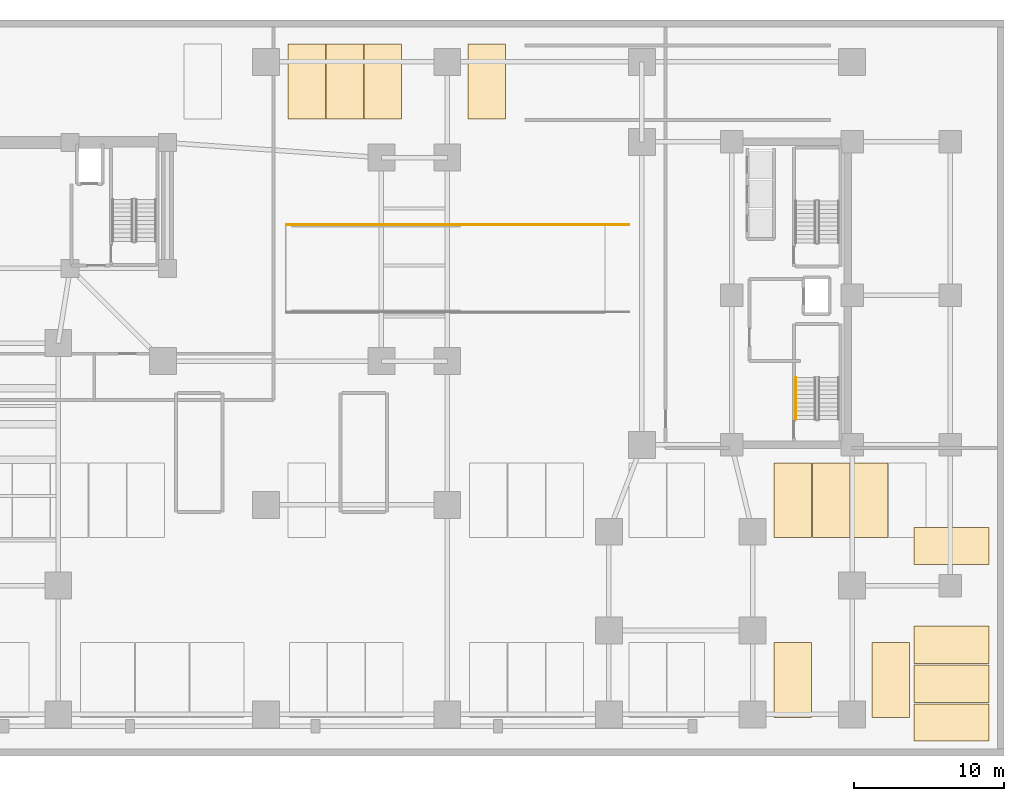
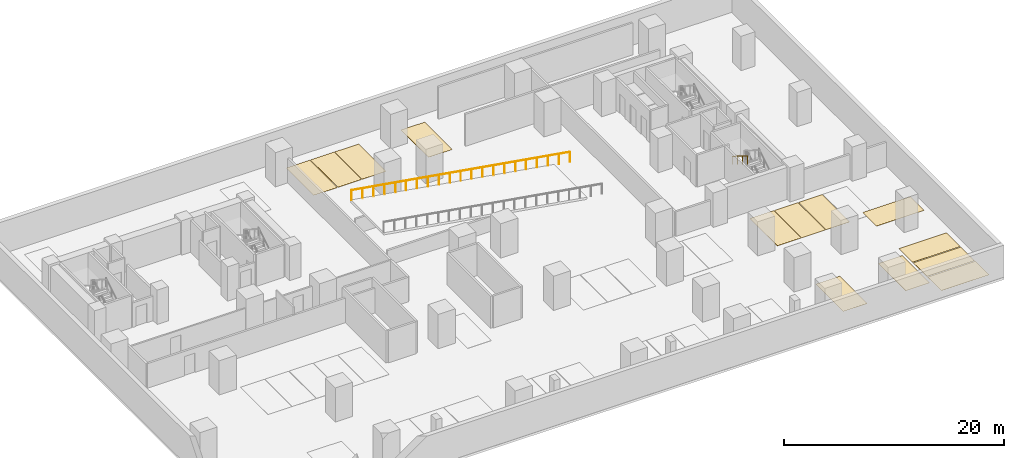
# One storey, part 7 of 9: 13 coverings, 2 railings.
"""IFC4 building model written with IfcOpenShell, lengths in metres."""

import ifcopenshell
import ifcopenshell.guid

model = None  # the IFC model being written
_history = None  # IfcOwnerHistory: only IFC2X3 demands one
_inside = {}  # id of a spatial element -> (the spatial element, [elements in it])
_under = {}  # id of a project, library or spatial element -> (it, [spatial elements below it])
_declared = {}  # id of a project -> (the project, [libraries it declares])
_typed = {}  # id of a type object -> (the type object, [elements of that type])
_made_of = {}  # id of a material, layer set ... -> (it, [elements and type objects made of it])


def new_model(schema):
    """Start an empty IFC model of exactly this schema.

    Asked for "IFC4X3", IfcOpenShell would pick the latest addendum, in which some entities
    have other attributes; the version numbers below select the first issue.
    IFC2X3 requires an IfcOwnerHistory on every rooted entity: one is made here for all.
    """
    global model, _history
    if schema == "IFC4X3":
        model = ifcopenshell.file(schema_version=(4, 3, 0, 0))
    else:
        model = ifcopenshell.file(schema=schema)
    _inside.clear()
    _under.clear()
    _declared.clear()
    _typed.clear()
    _made_of.clear()
    _history = None
    if model.schema == "IFC2X3":
        org = make("IfcOrganization", Name="unknown")
        user = make(
            "IfcPersonAndOrganization",
            ThePerson=make("IfcPerson", FamilyName="unknown"),
            TheOrganization=org,
        )
        app = make(
            "IfcApplication",
            ApplicationDeveloper=org,
            Version="unknown",
            ApplicationFullName="unknown",
            ApplicationIdentifier="unknown",
        )
        _history = make(
            "IfcOwnerHistory",
            OwningUser=user,
            OwningApplication=app,
            ChangeAction="ADDED",
            CreationDate=0,
        )
    return model


def make(cls, **values):
    """One entity of the class cls with the attributes given. An attribute that is None is left unset."""
    return model.create_entity(
        cls, **{name: value for name, value in values.items() if value is not None}
    )


def rooted(cls, **values):
    """An entity with a GlobalId (a new one), such as an element, a storey or a relation."""
    return make(cls, GlobalId=ifcopenshell.guid.new(), OwnerHistory=_history, **values)


def si_unit(unit_type, name, prefix=None):
    """IfcSIUnit, for example si_unit("LENGTHUNIT", "METRE", prefix="MILLI")."""
    return make("IfcSIUnit", UnitType=unit_type, Prefix=prefix, Name=name)


def assignment(units):
    """IfcUnitAssignment: the units of a project."""
    return None if units is None else make("IfcUnitAssignment", Units=units)


def point(xyz):
    """IfcCartesianPoint."""
    return None if xyz is None else make("IfcCartesianPoint", Coordinates=xyz)


def direction(xyz):
    """IfcDirection."""
    return None if xyz is None else make("IfcDirection", DirectionRatios=xyz)


def frame(location, z_axis=None, x_axis=None):
    """IfcAxis2Placement3D, a coordinate frame: its origin and axes. An axis left out is left unset."""
    return make(
        "IfcAxis2Placement3D",
        Location=point(location),
        Axis=direction(z_axis),
        RefDirection=direction(x_axis),
    )


def frame_2d(location, x_axis=None):
    """IfcAxis2Placement2D, a coordinate frame in the plane: its origin and x axis."""
    return make(
        "IfcAxis2Placement2D", Location=point(location), RefDirection=direction(x_axis)
    )


def origin():
    """The frame at (0, 0, 0) with its axes left unset."""
    return frame((0.0, 0.0, 0.0))


def origin_2d():
    """The frame at (0, 0) in the plane with its x axis left unset."""
    return frame_2d((0.0, 0.0))


def place(relative_to, where):
    """IfcLocalPlacement: puts the frame where relative to a parent placement (None: the world)."""
    return make(
        "IfcLocalPlacement", PlacementRelTo=relative_to, RelativePlacement=where
    )


def context(
    kind, dimensions, precision=None, world=None, true_north=None, identifier=None
):
    """IfcGeometricRepresentationContext, for example the 3D "Model" context."""
    return make(
        "IfcGeometricRepresentationContext",
        ContextIdentifier=identifier,
        ContextType=kind,
        CoordinateSpaceDimension=dimensions,
        Precision=precision,
        WorldCoordinateSystem=world,
        TrueNorth=true_north,
    )


def subcontext(parent, identifier, kind, view, scale=None):
    """IfcGeometricRepresentationSubContext, for example "Body" below "Model"."""
    return make(
        "IfcGeometricRepresentationSubContext",
        ContextIdentifier=identifier,
        ContextType=kind,
        ParentContext=parent,
        TargetScale=scale,
        TargetView=view,
    )


def project(units=None, contexts=None):
    """IfcProject with its units and contexts."""
    return rooted(
        "IfcProject",
        Name="project",
        RepresentationContexts=contexts,
        UnitsInContext=assignment(units),
    )


def spatial(cls, under=None, at=None, **own):
    """A site, building, storey or space (cls), placed at a placement, below another one or the project."""
    s = rooted(cls, ObjectPlacement=at, **own)
    if under is not None:
        _under.setdefault(under.id(), (under, []))[1].append(s)
    return s


def polyline(points):
    """IfcPolyline through the points."""
    return make("IfcPolyline", Points=[point(p) for p in points])


def profile(cls, at=None, kind="AREA", **sizes):
    """A parametric profile (cls). Its sizes go by their IFC names, for example OverallWidth=200.0."""
    return make(cls, ProfileType=kind, Position=at, **sizes)


def circle(**sizes):
    """IfcCircleProfileDef."""
    return profile("IfcCircleProfileDef", **sizes)


def outline(outer, holes=None, kind="AREA"):
    """IfcArbitraryClosedProfileDef: a profile drawn as a closed curve; with holes, ...WithVoids."""
    if holes is None:
        return make("IfcArbitraryClosedProfileDef", ProfileType=kind, OuterCurve=outer)
    return make(
        "IfcArbitraryProfileDefWithVoids",
        ProfileType=kind,
        OuterCurve=outer,
        InnerCurves=holes,
    )


def extrude(swept, where, along, depth):
    """IfcExtrudedAreaSolid: the profile swept, set in the frame where, extruded along a direction by depth."""
    return make(
        "IfcExtrudedAreaSolid",
        SweptArea=swept,
        Position=where,
        ExtrudedDirection=direction(along),
        Depth=depth,
    )


def shape(context_of_items, identifier, shape_type, items):
    """IfcShapeRepresentation: the items that make up one representation, for example the "Body"."""
    return make(
        "IfcShapeRepresentation",
        ContextOfItems=context_of_items,
        RepresentationIdentifier=identifier,
        RepresentationType=shape_type,
        Items=items,
    )


def material(Name=None, Category=None):
    """IfcMaterial."""
    return make("IfcMaterial", Name=Name, Category=Category)


def layer(
    of_material, thickness, ventilated=None, Name=None, Category=None, Priority=None
):
    """IfcMaterialLayer: one layer of a wall or slab, of a material (None: an air gap)."""
    return make(
        "IfcMaterialLayer",
        Material=of_material,
        LayerThickness=thickness,
        IsVentilated=ventilated,
        Name=Name,
        Category=Category,
        Priority=Priority,
    )


def layer_set(layers, Name=None):
    """IfcMaterialLayerSet."""
    return make("IfcMaterialLayerSet", MaterialLayers=layers, LayerSetName=Name)


def made_of(thing, what):
    """Note that an element or type object is made of a material, layer set ...; save() writes the relation."""
    if what is not None:
        _made_of.setdefault(what.id(), (what, []))[1].append(thing)
    return thing


def type_object(cls, material=None, **own):
    """A type object (cls), such as IfcWallType, which elements share."""
    return made_of(rooted(cls, **own), material)


def element(
    cls,
    number,
    at=None,
    inside=None,
    cuts=None,
    type_object=None,
    material=None,
    context=None,
    identifier="Body",
    shape_type=None,
    held_by="IfcProductDefinitionShape",
    body=None,
    shapes=None,
    **own,
):
    """One element of the class cls, such as IfcWall. Its Tag is "e" and its number.

    at: its placement. inside: the storey or other place that contains it. cuts: it is an
    opening in that element (IfcRelVoidsElement). A single representation is given by context,
    identifier, shape_type and body (its items); several are given by shapes. held_by: the class
    of the entity that holds the representations. save() writes the other relations.
    """
    e = rooted(cls, Tag="e%d" % number, ObjectPlacement=at, **own)
    if body is not None:
        shapes = [shape(context, identifier, shape_type, body)]
    if shapes is not None:
        e.Representation = make(held_by, Representations=shapes)
    if inside is not None:
        _inside.setdefault(inside.id(), (inside, []))[1].append(e)
    if cuts is not None:
        rooted(
            "IfcRelVoidsElement", RelatingBuildingElement=cuts, RelatedOpeningElement=e
        )
    if type_object is not None:
        _typed.setdefault(type_object.id(), (type_object, []))[1].append(e)
    return made_of(e, material)


def aggregate(whole, parts):
    """IfcRelAggregates: a whole, such as a stair, and the parts it consists of."""
    return rooted("IfcRelAggregates", RelatingObject=whole, RelatedObjects=parts)


def save(model, path):
    """Write the relations noted so far, then the file.

    IfcRelAggregates (storeys below a building ...), IfcRelContainedInSpatialStructure (elements
    in a storey), IfcRelDefinesByType, IfcRelAssociatesMaterial and IfcRelDeclares: one each for
    every whole, place, type object, material and project.
    """
    for whole, parts in _under.values():
        aggregate(whole, parts)
    for where, things in _inside.values():
        rooted(
            "IfcRelContainedInSpatialStructure",
            RelatedElements=things,
            RelatingStructure=where,
        )
    for kind, things in _typed.values():
        rooted("IfcRelDefinesByType", RelatedObjects=things, RelatingType=kind)
    for what, things in _made_of.values():
        rooted("IfcRelAssociatesMaterial", RelatedObjects=things, RelatingMaterial=what)
    for by, libraries in _declared.values():
        rooted("IfcRelDeclares", RelatingContext=by, RelatedDefinitions=libraries)
    model.write(path)


model = new_model("IFC4")

# Units and contexts
model_context = context("Model", 3, precision=1e-05, world=origin(), true_north=direction((0.0, 1.0)))
body_context = subcontext(model_context, "Body", "Model", "MODEL_VIEW")
ifc_project = project(units=[si_unit("LENGTHUNIT", "METRE"), si_unit("AREAUNIT", "SQUARE_METRE"), si_unit("VOLUMEUNIT", "CUBIC_METRE"), si_unit("PLANEANGLEUNIT", "RADIAN"), si_unit("MASSUNIT", "GRAM", prefix="KILO")], contexts=[model_context])

# Site, building, storey
site_placement = place(None, origin())
site = spatial("IfcSite", under=ifc_project, at=site_placement, CompositionType="ELEMENT")
building_placement = place(site_placement, origin())
building = spatial("IfcBuilding", under=site, at=building_placement, Name="Kuzgunbayir Cultural Tower", CompositionType="ELEMENT")
storey_placement = place(building_placement, frame((0.0, 0.0, -7.60009765625)))
storey = spatial("IfcBuildingStorey", under=building, at=storey_placement, Name="B02", CompositionType="ELEMENT", Elevation=-7.60009765625)

# Coverings
ifc_material_1 = material(Name="Epoxy Car Park Deck Coating", Category="finish")
ifc_layer_1 = layer(ifc_material_1, 0.006103515625)
ifc_layer_set_1 = layer_set([ifc_layer_1], Name="Epoxy Car Park Deck Coating")
covering_type = type_object("IfcCoveringType", Name="COV-PARK-BAY", PredefinedType="FLOORING", material=ifc_layer_set_1)
covering_1_placement = place(storey_placement, origin())
element("IfcCovering", 1, at=covering_1_placement, inside=storey, type_object=covering_type, Name="B02-P009 Car Parking Bay Marking", PredefinedType="FLOORING", context=body_context, shape_type="SweptSolid", body=[
    extrude(outline(polyline([(67.449951171875, 3.800048828125), (69.949951171875, 3.800048828125), (69.949951171875, 8.800048828125), (67.449951171875, 8.800048828125), (67.449951171875, 3.800048828125)])), origin(), (0.0, 0.0, 1.0), 0.010009765625),
])
covering_2_placement = place(storey_placement, origin())
element("IfcCovering", 2, at=covering_2_placement, inside=storey, type_object=covering_type, Name="B02-P010 Car Parking Bay Marking", PredefinedType="FLOORING", context=body_context, shape_type="SweptSolid", body=[
    extrude(outline(polyline([(74.0, 3.800048828125), (76.5, 3.800048828125), (76.5, 8.800048828125), (74.0, 8.800048828125), (74.0, 3.800048828125)])), origin(), (0.0, 0.0, 1.0), 0.010009765625),
])
covering_3_placement = place(storey_placement, origin())
element("IfcCovering", 3, at=covering_3_placement, inside=storey, type_object=covering_type, Name="B02-P022 Car Parking Bay Marking", PredefinedType="FLOORING", context=body_context, shape_type="SweptSolid", body=[
    extrude(outline(polyline([(67.449951171875, 15.800048828125), (69.949951171875, 15.800048828125), (69.949951171875, 20.800048828125), (67.449951171875, 20.800048828125), (67.449951171875, 15.800048828125)])), origin(), (0.0, 0.0, 1.0), 0.010009765625),
])
covering_4_placement = place(storey_placement, origin())
element("IfcCovering", 4, at=covering_4_placement, inside=storey, type_object=covering_type, Name="B02-P023 Car Parking Bay Marking", PredefinedType="FLOORING", context=body_context, shape_type="SweptSolid", body=[
    extrude(outline(polyline([(70.0, 15.800048828125), (72.5, 15.800048828125), (72.5, 20.800048828125), (70.0, 20.800048828125), (70.0, 15.800048828125)])), origin(), (0.0, 0.0, 1.0), 0.010009765625),
])
covering_5_placement = place(storey_placement, origin())
element("IfcCovering", 5, at=covering_5_placement, inside=storey, type_object=covering_type, Name="B02-P024 Car Parking Bay Marking", PredefinedType="FLOORING", context=body_context, shape_type="SweptSolid", body=[
    extrude(outline(polyline([(72.550048828125, 15.800048828125), (75.050048828125, 15.800048828125), (75.050048828125, 20.800048828125), (72.550048828125, 20.800048828125), (72.550048828125, 15.800048828125)])), origin(), (0.0, 0.0, 1.0), 0.010009765625),
])
covering_6_placement = place(storey_placement, origin())
element("IfcCovering", 6, at=covering_6_placement, inside=storey, type_object=covering_type, Name="B02-P028 Car Parking Bay Marking", PredefinedType="FLOORING", context=body_context, shape_type="SweptSolid", body=[
    extrude(outline(polyline([(34.949951171875, 43.800048828125), (37.449951171875, 43.800048828125), (37.449951171875, 48.800048828125), (34.949951171875, 48.800048828125), (34.949951171875, 43.800048828125)])), origin(), (0.0, 0.0, 1.0), 0.010009765625),
])
covering_7_placement = place(storey_placement, origin())
element("IfcCovering", 7, at=covering_7_placement, inside=storey, type_object=covering_type, Name="B02-P029 Car Parking Bay Marking", PredefinedType="FLOORING", context=body_context, shape_type="SweptSolid", body=[
    extrude(outline(polyline([(37.5, 43.800048828125), (40.0, 43.800048828125), (40.0, 48.800048828125), (37.5, 48.800048828125), (37.5, 43.800048828125)])), origin(), (0.0, 0.0, 1.0), 0.010009765625),
])
covering_8_placement = place(storey_placement, origin())
element("IfcCovering", 8, at=covering_8_placement, inside=storey, type_object=covering_type, Name="B02-P030 Car Parking Bay Marking", PredefinedType="FLOORING", context=body_context, shape_type="SweptSolid", body=[
    extrude(outline(polyline([(40.050048828125, 43.800048828125), (42.550048828125, 43.800048828125), (42.550048828125, 48.800048828125), (40.050048828125, 48.800048828125), (40.050048828125, 43.800048828125)])), origin(), (0.0, 0.0, 1.0), 0.010009765625),
])
covering_9_placement = place(storey_placement, origin())
element("IfcCovering", 9, at=covering_9_placement, inside=storey, type_object=covering_type, Name="B02-P031 Car Parking Bay Marking", PredefinedType="FLOORING", context=body_context, shape_type="SweptSolid", body=[
    extrude(outline(polyline([(47.0, 43.800048828125), (49.5, 43.800048828125), (49.5, 48.800048828125), (47.0, 48.800048828125), (47.0, 43.800048828125)])), origin(), (0.0, 0.0, 1.0), 0.010009765625),
])
covering_10_placement = place(storey_placement, origin())
element("IfcCovering", 10, at=covering_10_placement, inside=storey, type_object=covering_type, Name="B02-P032 Car Parking Bay Marking", PredefinedType="FLOORING", context=body_context, shape_type="SweptSolid", body=[
    extrude(outline(polyline([(76.800048828125, 2.199951171875), (81.800048828125, 2.199951171875), (81.800048828125, 4.699951171875), (76.800048828125, 4.699951171875), (76.800048828125, 2.199951171875)])), origin(), (0.0, 0.0, 1.0), 0.010009765625),
])
covering_11_placement = place(storey_placement, origin())
element("IfcCovering", 11, at=covering_11_placement, inside=storey, type_object=covering_type, Name="B02-P033 Car Parking Bay Marking", PredefinedType="FLOORING", context=body_context, shape_type="SweptSolid", body=[
    extrude(outline(polyline([(76.800048828125, 4.800048828125), (81.800048828125, 4.800048828125), (81.800048828125, 7.300048828125), (76.800048828125, 7.300048828125), (76.800048828125, 4.800048828125)])), origin(), (0.0, 0.0, 1.0), 0.010009765625),
])
covering_12_placement = place(storey_placement, origin())
element("IfcCovering", 12, at=covering_12_placement, inside=storey, type_object=covering_type, Name="B02-P034 Car Parking Bay Marking", PredefinedType="FLOORING", context=body_context, shape_type="SweptSolid", body=[
    extrude(outline(polyline([(76.800048828125, 7.39990234375), (81.800048828125, 7.39990234375), (81.800048828125, 9.89990234375), (76.800048828125, 9.89990234375), (76.800048828125, 7.39990234375)])), origin(), (0.0, 0.0, 1.0), 0.010009765625),
])
covering_13_placement = place(storey_placement, origin())
element("IfcCovering", 13, at=covering_13_placement, inside=storey, type_object=covering_type, Name="B02-P035 Car Parking Bay Marking", PredefinedType="FLOORING", context=body_context, shape_type="SweptSolid", body=[
    extrude(outline(polyline([(76.800048828125, 14.0), (81.800048828125, 14.0), (81.800048828125, 16.5), (76.800048828125, 16.5), (76.800048828125, 14.0)])), origin(), (0.0, 0.0, 1.0), 0.010009765625),
])

# Railings
ifc_material_2 = material(Name="Brushed Stainless Steel", Category="steel")
ifc_layer_2 = layer(ifc_material_2, 0.050048828125)
ifc_layer_set_2 = layer_set([ifc_layer_2], Name="Brushed Stainless Steel")
railing_type_1 = type_object("IfcRailingType", Name="RLG-STAIR-HANDRAIL", PredefinedType="HANDRAIL", material=ifc_layer_set_2)
railing_1_placement = place(storey_placement, frame((68.889892578125, 26.5, 2.07275390625)))
element("IfcRailing", 14, at=railing_1_placement, inside=storey, type_object=railing_type_1, Name="B02 ST-3 stair handrail 2", PredefinedType="HANDRAIL", context=body_context, shape_type="SweptSolid", body=[
    extrude(circle(Radius=0.02392578125, at=origin_2d()), frame((0.0, 0.0, 0.8759765625), z_axis=(0.0, -0.851089632645, 0.525020415988), x_axis=(1.0, 0.0, 0.0)), (0.0, 0.0, 1.0), 3.2900390625),
    extrude(circle(Radius=0.02099609375, at=origin_2d()), origin(), (0.0, 0.0, 1.0), 0.851806640625),
    extrude(circle(Radius=0.02099609375, at=origin_2d()), frame((0.0, -0.933349609375, 0.57568359375)), (0.0, 0.0, 1.0), 0.851806640625),
    extrude(circle(Radius=0.02099609375, at=origin_2d()), frame((0.0, -1.86669921875, 1.151611328125)), (0.0, 0.0, 1.0), 0.851806640625),
    extrude(circle(Radius=0.02099609375, at=origin_2d()), frame((0.0, -2.800048828125, 1.727294921875)), (0.0, 0.0, 1.0), 0.851806640625),
])
ifc_material_3 = material(Name="Painted Steel Balustrade", Category="steel")
ifc_layer_3 = layer(ifc_material_3, 0.06005859375)
ifc_layer_set_3 = layer_set([ifc_layer_3], Name="Painted Steel Balustrade")
railing_type_2 = type_object("IfcRailingType", Name="RLG-WELL-GUARD", PredefinedType="GUARDRAIL", material=ifc_layer_set_3)
railing_2_placement = place(storey_placement, frame((57.75, 36.719970703125, 0.010009765625)))
element("IfcRailing", 15, at=railing_2_placement, inside=storey, type_object=railing_type_2, Name="B02 Ramp VR-2 Flight North Guard", PredefinedType="GUARDRAIL", context=body_context, shape_type="SweptSolid", body=[
    extrude(circle(Radius=0.02392578125, at=origin_2d()), frame((0.0, 0.0, 1.1259765625), z_axis=(-0.986648593487, 0.0, 0.162863602347), x_axis=(0.0, -1.0, 0.0)), (0.0, 0.0, 1.0), 23.209716796875),
    extrude(circle(Radius=0.02099609375, at=origin_2d()), origin(), (0.0, 0.0, 1.0), 1.101806640625),
    extrude(circle(Radius=0.02099609375, at=origin_2d()), frame((-1.14501953125, 0.0, 0.18896484375)), (0.0, 0.0, 1.0), 1.101806640625),
    extrude(circle(Radius=0.02099609375, at=origin_2d()), frame((-2.2900390625, 0.0, 0.3779296875)), (0.0, 0.0, 1.0), 1.101806640625),
    extrude(circle(Radius=0.02099609375, at=origin_2d()), frame((-3.43505859375, 0.0, 0.56689453125)), (0.0, 0.0, 1.0), 1.101806640625),
    extrude(circle(Radius=0.02099609375, at=origin_2d()), frame((-4.580078125, 0.0, 0.756103515625)), (0.0, 0.0, 1.0), 1.101806640625),
    extrude(circle(Radius=0.02099609375, at=origin_2d()), frame((-5.72509765625, 0.0, 0.945068359375)), (0.0, 0.0, 1.0), 1.101806640625),
    extrude(circle(Radius=0.02099609375, at=origin_2d()), frame((-6.869873046875, 0.0, 1.134033203125)), (0.0, 0.0, 1.0), 1.101806640625),
    extrude(circle(Radius=0.02099609375, at=origin_2d()), frame((-8.014892578125, 0.0, 1.322998046875)), (0.0, 0.0, 1.0), 1.101806640625),
    extrude(circle(Radius=0.02099609375, at=origin_2d()), frame((-9.159912109375, 0.0, 1.511962890625)), (0.0, 0.0, 1.0), 1.101806640625),
    extrude(circle(Radius=0.02099609375, at=origin_2d()), frame((-10.304931640625, 0.0, 1.700927734375)), (0.0, 0.0, 1.0), 1.101806640625),
    extrude(circle(Radius=0.02099609375, at=origin_2d()), frame((-11.449951171875, 0.0, 1.89013671875)), (0.0, 0.0, 1.0), 1.101806640625),
    extrude(circle(Radius=0.02099609375, at=origin_2d()), frame((-12.594970703125, 0.0, 2.0791015625)), (0.0, 0.0, 1.0), 1.101806640625),
    extrude(circle(Radius=0.02099609375, at=origin_2d()), frame((-13.739990234375, 0.0, 2.26806640625)), (0.0, 0.0, 1.0), 1.101806640625),
    extrude(circle(Radius=0.02099609375, at=origin_2d()), frame((-14.885009765625, 0.0, 2.45703125)), (0.0, 0.0, 1.0), 1.101806640625),
    extrude(circle(Radius=0.02099609375, at=origin_2d()), frame((-16.030029296875, 0.0, 2.64599609375)), (0.0, 0.0, 1.0), 1.101806640625),
    extrude(circle(Radius=0.02099609375, at=origin_2d()), frame((-17.1748046875, 0.0, 2.8349609375)), (0.0, 0.0, 1.0), 1.101806640625),
    extrude(circle(Radius=0.02099609375, at=origin_2d()), frame((-18.31982421875, 0.0, 3.02392578125)), (0.0, 0.0, 1.0), 1.101806640625),
    extrude(circle(Radius=0.02099609375, at=origin_2d()), frame((-19.46484375, 0.0, 3.213134765625)), (0.0, 0.0, 1.0), 1.101806640625),
    extrude(circle(Radius=0.02099609375, at=origin_2d()), frame((-20.60986328125, 0.0, 3.402099609375)), (0.0, 0.0, 1.0), 1.101806640625),
    extrude(circle(Radius=0.02099609375, at=origin_2d()), frame((-21.7548828125, 0.0, 3.591064453125)), (0.0, 0.0, 1.0), 1.101806640625),
    extrude(circle(Radius=0.02099609375, at=origin_2d()), frame((-22.89990234375, 0.0, 3.780029296875)), (0.0, 0.0, 1.0), 1.101806640625),
])

save(model, "model.ifc")
